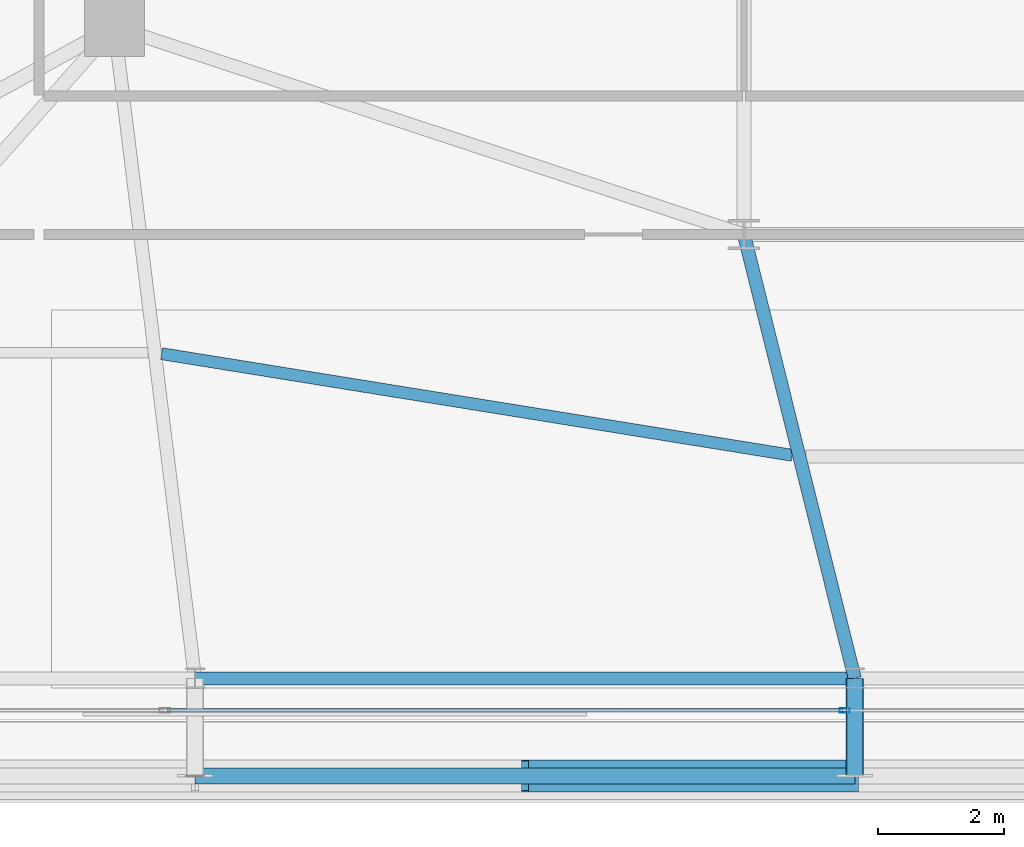
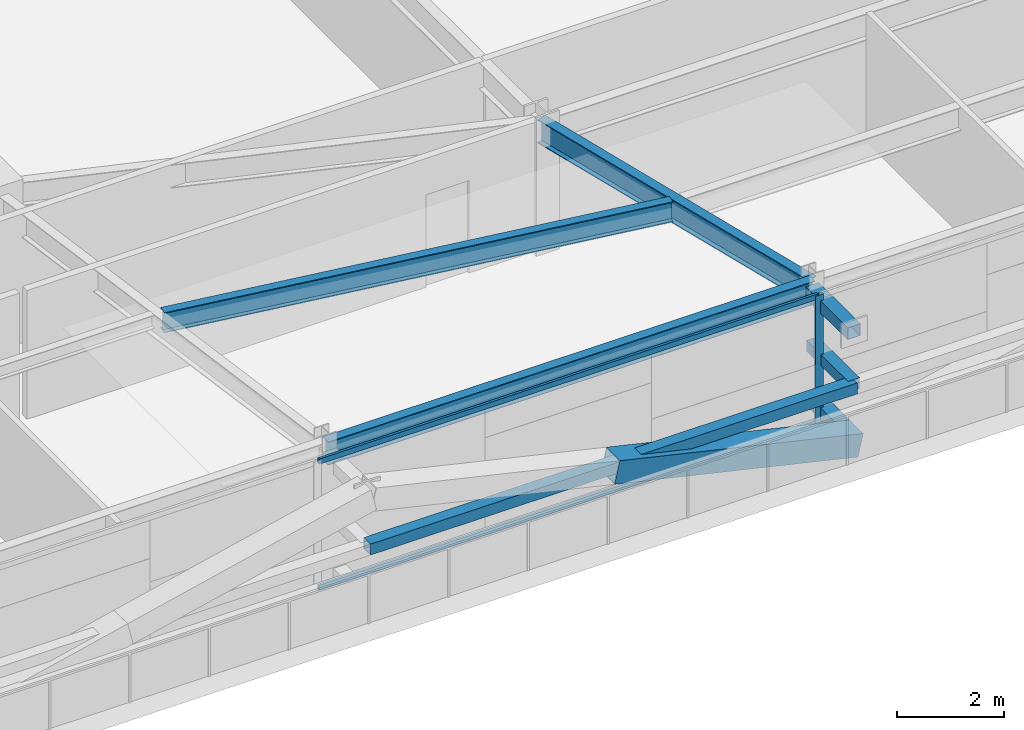
# One storey, part 12 of 56: 8 members, 3 beams, 1 element without a shape of its own.
"""IFC4 building model written with IfcOpenShell, lengths in metres."""

from ifc_helpers import new_model, si_unit, direction, frame, origin, origin_2d, place, context, subcontext, project, spatial, hollow_rectangle, i_section, extrude, source, transform, mapped, material, layer, layer_set, material_profile, profile_set, type_object, element, aggregate, save


model = new_model("IFC4")

# Units and contexts
model_context = context("Model", 3, precision=1e-05, world=origin(), true_north=direction((0.0, 1.0)))
body_context = subcontext(model_context, "Body", "Model", "MODEL_VIEW")
ifc_project = project(units=[si_unit("LENGTHUNIT", "METRE"), si_unit("AREAUNIT", "SQUARE_METRE"), si_unit("VOLUMEUNIT", "CUBIC_METRE"), si_unit("PLANEANGLEUNIT", "RADIAN"), si_unit("MASSUNIT", "GRAM", prefix="KILO")], contexts=[model_context])

# Site, building, storey
site_placement = place(None, origin())
site = spatial("IfcSite", under=ifc_project, at=site_placement, CompositionType="ELEMENT")
building_placement = place(site_placement, origin())
building = spatial("IfcBuilding", under=site, at=building_placement, Name="Taldren Reach Tower", CompositionType="ELEMENT")
storey_placement = place(building_placement, frame((0.0, 0.0, 16.800048828125)))
storey = spatial("IfcBuildingStorey", under=building, at=storey_placement, Name="L04", CompositionType="ELEMENT", Elevation=16.800048828125)

# Beams
ifc_material_1 = material(Name="Steel Gr 350 (350PLUS)", Category="steel")
ifc_material_profile_1 = material_profile(ifc_material_1, i_section(OverallWidth=0.208984375, OverallDepth=0.528076171875, WebThickness=0.009521484375, FlangeThickness=0.01318359375, at=origin_2d()), Name="530UB82.0")
ifc_profile_set_1 = profile_set([ifc_material_profile_1], Name="Steel Gr 350 (350PLUS)")
beam_type_1 = type_object("IfcBeamType", Name="SP-UB530B", PredefinedType="SPANDREL", material=ifc_profile_set_1)
shared_shape_1 = source(origin(), body_context, "Body", "SweptSolid", [
    extrude(i_section(OverallWidth=0.208984375, OverallDepth=0.528076171875, WebThickness=0.009521484375, FlangeThickness=0.01318359375, at=origin_2d()), origin(), (0.0, 0.0, 1.0), 10.47998046875),
])
beam_1_placement = place(storey_placement, frame((19.280029296875, 2.14990234375, 2.666015625), z_axis=(1.0, 0.0, 0.0), x_axis=(0.0, 1.0, 0.0)))
element("IfcBeam", 1, at=beam_1_placement, inside=storey, type_object=beam_type_1, Name="Perimeter spandrel B1 S2-S3 L04", PredefinedType="SPANDREL", context=body_context, shape_type="MappedRepresentation", body=[
    mapped(shared_shape_1, transform((0.0, 0.0, 0.0), scale=1.0)),
])
ifc_material_profile_2 = material_profile(ifc_material_1, i_section(OverallWidth=0.208984375, OverallDepth=0.532958984375, WebThickness=0.01025390625, FlangeThickness=0.015625, at=origin_2d()), Name="530UB92.4")
ifc_profile_set_2 = profile_set([ifc_material_profile_2], Name="Steel Gr 350 (350PLUS)")
beam_type_2 = type_object("IfcBeamType", Name="BM-UB530A", PredefinedType="BEAM", material=ifc_profile_set_2)
shared_shape_2 = source(origin(), body_context, "Body", "SweptSolid", [
    extrude(i_section(OverallWidth=0.208984375, OverallDepth=0.532958984375, WebThickness=0.01025390625, FlangeThickness=0.015625, at=origin_2d()), origin(), (0.0, 0.0, 1.0), 7.266357421875),
])
beam_2_placement = place(storey_placement, frame((28.0, 9.199951171875, 2.663330078125), z_axis=(0.24221148493, -0.970223477642, 0.0), x_axis=(0.970223477642, 0.24221148493, 0.0)))
element("IfcBeam", 2, at=beam_2_placement, inside=storey, type_object=beam_type_2, Name="Primary floor girder B1-S3 L04", PredefinedType="BEAM", context=body_context, shape_type="MappedRepresentation", body=[
    mapped(shared_shape_2, transform((0.0, 0.0, 0.0), scale=1.0)),
])
ifc_material_profile_3 = material_profile(ifc_material_1, i_section(OverallWidth=0.19091796875, OverallDepth=0.4599609375, WebThickness=0.010009765625, FlangeThickness=0.01611328125, at=origin_2d()), Name="460UB82.1")
ifc_profile_set_3 = profile_set([ifc_material_profile_3], Name="Steel Gr 350 (350PLUS)")
beam_type_3 = type_object("IfcBeamType", Name="BM-UB460A", PredefinedType="BEAM", material=ifc_profile_set_3)
shared_shape_3 = source(origin(), body_context, "Body", "SweptSolid", [
    extrude(i_section(OverallWidth=0.19091796875, OverallDepth=0.4599609375, WebThickness=0.010009765625, FlangeThickness=0.01611328125, at=origin_2d()), origin(), (0.0, 0.0, 1.0), 10.1494140625),
])
beam_3_placement = place(storey_placement, frame((18.74755859375, 7.3076171875, 2.699951171875), z_axis=(0.987266967452, -0.159072106224, 0.0), x_axis=(0.159072106224, 0.987266967452, 0.0)))
element("IfcBeam", 3, at=beam_3_placement, inside=storey, type_object=beam_type_3, Name="Secondary floor beam B1 J2 L04", PredefinedType="BEAM", context=body_context, shape_type="MappedRepresentation", body=[
    mapped(shared_shape_3, transform((0.0, 0.0, 0.0), scale=1.0)),
])

# Members
ifc_material_2 = material(Name="Steel Gr 450 (C450L0)", Category="steel")
ifc_material_profile_4 = material_profile(ifc_material_2, hollow_rectangle(XDim=0.27490234375, YDim=0.27490234375, WallThickness=0.00927734375, at=origin_2d()), Name="275x275x9.3SHS")
ifc_profile_set_4 = profile_set([ifc_material_profile_4], Name="Steel Gr 450 (C450L0)")
member_type_1 = type_object("IfcMemberType", Name="MB-TIE273", PredefinedType="STRUT", material=ifc_profile_set_4)
shared_shape_4 = source(origin(), body_context, "Body", "SweptSolid", [
    extrude(hollow_rectangle(XDim=0.27490234375, YDim=0.27490234375, WallThickness=0.00927734375, at=origin_2d()), origin(), (0.0, 0.0, 1.0), 1.5498046875),
])
for number, where, z_axis, x_axis, name in (
    (4, (29.760009765625, 2.14990234375, 2.64990234375), (0.0, -1.0, 0.0), (1.0, 0.0, 0.0), "Exoskeleton diaphragm tie strut B1-S3 L04"),
    (5, (29.760009765625, 2.14990234375, 0.219970703125), (0.0, -1.0, 0.0), (1.0, 0.0, 0.0), "Exoskeleton base diaphragm tie strut B1-S3 L04"),
):
    element("IfcMember", number, at=place(storey_placement, frame(where, z_axis=z_axis, x_axis=x_axis)), inside=storey, type_object=member_type_1, Name=name, PredefinedType="STRUT", context=body_context, shape_type="MappedRepresentation", body=[
        mapped(shared_shape_4, transform((0.0, 0.0, 0.0), scale=1.0)),
    ])
ifc_material_profile_5 = material_profile(ifc_material_2, hollow_rectangle(XDim=0.510009765625, YDim=0.510009765625, WallThickness=0.02001953125, at=origin_2d()), Name="510x510x20.0SHS")
ifc_profile_set_5 = profile_set([ifc_material_profile_5], Name="Steel Gr 450 (C450L0)")
member_type_2 = type_object("IfcMemberType", Name="MB-EXO508", PredefinedType="BRACE", material=ifc_profile_set_5)
shared_shape_5 = source(origin(), body_context, "Body", "SweptSolid", [
    extrude(hollow_rectangle(XDim=0.510009765625, YDim=0.510009765625, WallThickness=0.02001953125, at=origin_2d()), origin(), (0.0, 0.0, 1.0), 5.37890625),
])
member_1_placement = place(storey_placement, frame((29.760009765625, 0.60009765625, 0.219970703125), z_axis=(-0.97415197996, 0.0, 0.225893603143), x_axis=(0.0, -1.0, 0.0)))
element("IfcMember", 6, at=member_1_placement, inside=storey, type_object=member_type_2, Name="Exoskeleton Diagrid Brace B1-S2 L04", PredefinedType="BRACE", context=body_context, shape_type="MappedRepresentation", body=[
    mapped(shared_shape_5, transform((0.0, 0.0, 0.0), scale=1.0)),
])
ifc_material_3 = material(Name="Steel Gr 350 (C350L0)", Category="steel")
ifc_material_profile_6 = material_profile(ifc_material_3, hollow_rectangle(XDim=0.25, YDim=0.25, WallThickness=0.010009765625, at=origin_2d()), Name="250x250x10.0SHS")
ifc_profile_set_6 = profile_set([ifc_material_profile_6], Name="Steel Gr 350 (C350L0)")
member_type_3 = type_object("IfcMemberType", Name="MB-POST250", PredefinedType="POST", material=ifc_profile_set_6)
shared_shape_6 = source(origin(), body_context, "Body", "SweptSolid", [
    extrude(hollow_rectangle(XDim=0.25, YDim=0.25, WallThickness=0.010009765625, at=origin_2d()), origin(), (0.0, 0.0, 1.0), 10.47998046875),
])
member_2_placement = place(storey_placement, frame((19.280029296875, 0.60009765625, 1.43505859375), z_axis=(1.0, 0.0, 0.0), x_axis=(0.0, 1.0, 0.0)))
element("IfcMember", 7, at=member_2_placement, inside=storey, type_object=member_type_3, Name="Exoskeleton mid-height ring chord B1-S2 L04", PredefinedType="POST", context=body_context, shape_type="MappedRepresentation", body=[
    mapped(shared_shape_6, transform((0.0, 0.0, 0.0), scale=1.0)),
])
shared_shape_7 = source(origin(), body_context, "Body", "SweptSolid", [
    extrude(hollow_rectangle(XDim=0.25, YDim=0.25, WallThickness=0.010009765625, at=origin_2d()), origin(), (0.0, 0.0, 1.0), 1.5498046875),
])
member_3_placement = place(storey_placement, frame((29.760009765625, 2.14990234375, 1.43505859375), z_axis=(0.0, -1.0, 0.0), x_axis=(1.0, 0.0, 0.0)))
element("IfcMember", 8, at=member_3_placement, inside=storey, type_object=member_type_3, Name="Exoskeleton mid-tier diaphragm tie B1-S3 L04", PredefinedType="POST", context=body_context, shape_type="MappedRepresentation", body=[
    mapped(shared_shape_7, transform((0.0, 0.0, 0.0), scale=1.0)),
])

# Curtain wall, members
ifc_material_4 = material(Name="Aluminium and Low-E Glass Unitised System", Category="aluminium")
ifc_layer = layer(ifc_material_4, 0.159912109375)
ifc_layer_set = layer_set([ifc_layer], Name="Aluminium and Low-E Glass Unitised System")
curtain_wall_type = type_object("IfcCurtainWallType", Name="CW-SYS-2", PredefinedType="NOTDEFINED", material=ifc_layer_set)
curtain_wall_placement = place(storey_placement, origin())
curtain_wall = element("IfcCurtainWall", 9, at=curtain_wall_placement, inside=storey, type_object=curtain_wall_type, Name="Unitised curtain wall CW-L04-S", PredefinedType="NOTDEFINED")
ifc_material_5 = material(Name="Anodised Aluminium 6063-T6", Category="aluminium")
ifc_material_profile_7 = material_profile(ifc_material_5, hollow_rectangle(XDim=0.06494140625, YDim=0.1650390625, WallThickness=0.00390625, at=origin_2d()), Name="ALU-165x65x4RHS")
ifc_profile_set_7 = profile_set([ifc_material_profile_7], Name="Anodised Aluminium 6063-T6")
member_type_4 = type_object("IfcMemberType", Name="CW-MUL-165", PredefinedType="MULLION", material=ifc_profile_set_7)
shared_shape_8 = source(origin(), body_context, "Body", "SweptSolid", [
    extrude(hollow_rectangle(XDim=0.06494140625, YDim=0.1650390625, WallThickness=0.00390625, at=origin_2d()), origin(), (0.0, 0.0, 1.0), 2.929931640625),
])
member_4_placement = place(storey_placement, frame((29.60009765625, 1.639892578125, 0.0), z_axis=(0.0, 0.0, 1.0), x_axis=(0.0, 1.0, 0.0)))
member_4 = element("IfcMember", 10, at=member_4_placement, type_object=member_type_4, Name="CW-2 mullion 3", PredefinedType="MULLION", context=body_context, shape_type="MappedRepresentation", body=[
    mapped(shared_shape_8, transform((0.0, 0.0, 0.0), scale=1.0)),
])
ifc_material_profile_8 = material_profile(ifc_material_5, hollow_rectangle(XDim=0.054931640625, YDim=0.1201171875, WallThickness=0.0029296875, at=origin_2d()), Name="ALU-120x55x3RHS")
ifc_profile_set_8 = profile_set([ifc_material_profile_8], Name="Anodised Aluminium 6063-T6")
member_type_5 = type_object("IfcMemberType", Name="CW-TRN-135", PredefinedType="USERDEFINED", material=ifc_profile_set_8)
shared_shape_9 = source(origin(), body_context, "Body", "SweptSolid", [
    extrude(hollow_rectangle(XDim=0.054931640625, YDim=0.1201171875, WallThickness=0.0029296875, at=origin_2d()), origin(), (0.0, 0.0, 1.0), 10.73486328125),
])
member_5_placement = place(storey_placement, frame((18.83251953125, 1.639892578125, 0.02734375), z_axis=(1.0, 0.0, 0.0), x_axis=(0.0, 1.0, 0.0)))
member_5 = element("IfcMember", 11, at=member_5_placement, type_object=member_type_5, Name="CW-2 transom 2.1", ObjectType="TRANSOM", PredefinedType="USERDEFINED", context=body_context, shape_type="MappedRepresentation", body=[
    mapped(shared_shape_9, transform((0.0, 0.0, 0.0), scale=1.0)),
])
member_6_placement = place(storey_placement, frame((18.83251953125, 1.639892578125, 2.90234375), z_axis=(1.0, 0.0, 0.0), x_axis=(0.0, 1.0, 0.0)))
member_6 = element("IfcMember", 12, at=member_6_placement, type_object=member_type_5, Name="CW-2 transom 2.2", ObjectType="TRANSOM", PredefinedType="USERDEFINED", context=body_context, shape_type="MappedRepresentation", body=[
    mapped(shared_shape_9, transform((0.0, 0.0, 0.0), scale=1.0)),
])
aggregate(curtain_wall, [member_4, member_5, member_6])

save(model, "model.ifc")
